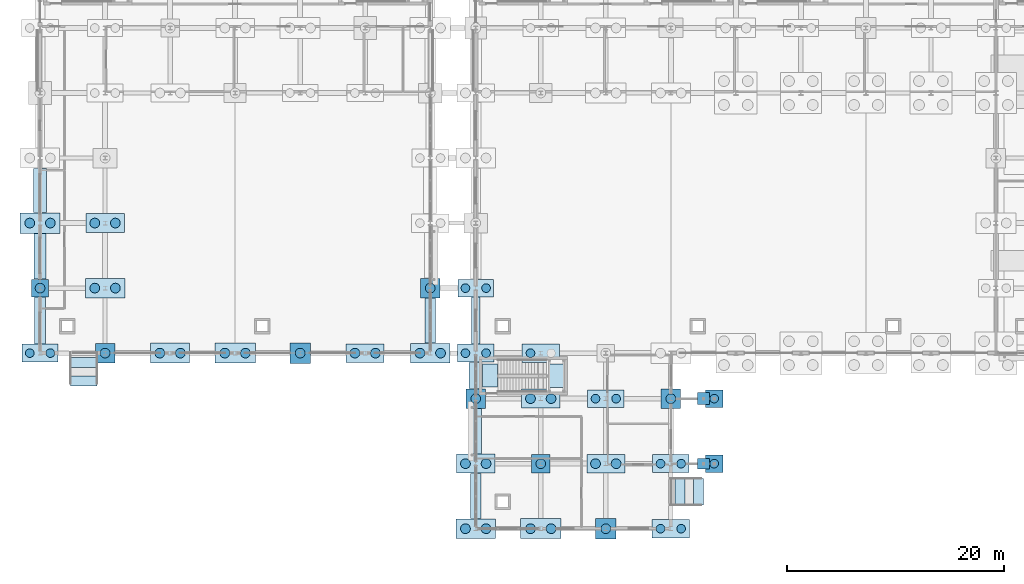
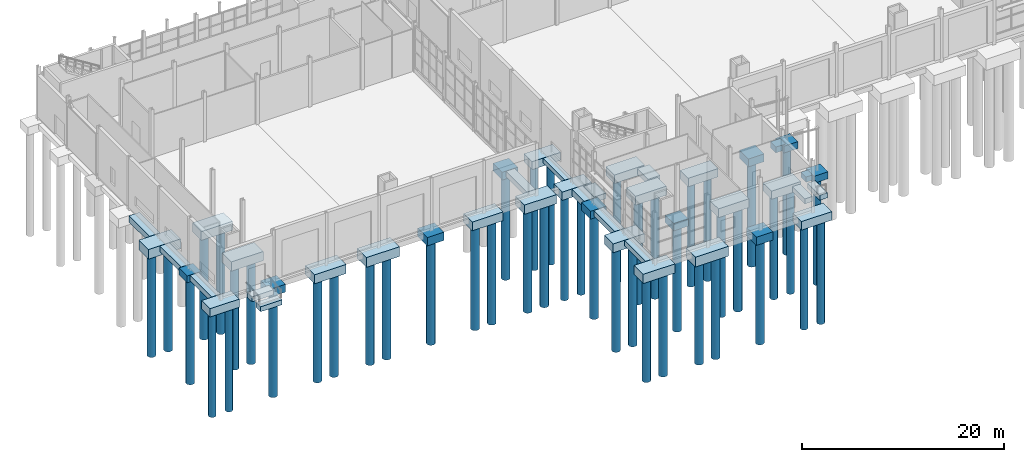
# One storey, part 1 of 120: 47 piles, 45 footings.
"""IFC4 building model written with IfcOpenShell, lengths in metres."""

from ifc_helpers import new_model, si_unit, direction, frame, origin, origin_2d, place, context, subcontext, project, spatial, rectangle, circle, extrude, material, material_profile, profile_set, type_object, element, save


model = new_model("IFC4")

# Units and contexts
model_context = context("Model", 3, precision=1e-05, world=origin(), true_north=direction((0.0, 1.0)))
body_context = subcontext(model_context, "Body", "Model", "MODEL_VIEW")
ifc_project = project(units=[si_unit("LENGTHUNIT", "METRE"), si_unit("AREAUNIT", "SQUARE_METRE"), si_unit("VOLUMEUNIT", "CUBIC_METRE"), si_unit("PLANEANGLEUNIT", "RADIAN"), si_unit("MASSUNIT", "GRAM", prefix="KILO")], contexts=[model_context])

# Site, building, storey
site_placement = place(None, origin())
site = spatial("IfcSite", under=ifc_project, at=site_placement, CompositionType="ELEMENT")
building_placement = place(site_placement, origin())
building = spatial("IfcBuilding", under=site, at=building_placement, Name="Siltcreek Boulevard Central Fire Station", CompositionType="ELEMENT")
storey_placement = place(building_placement, origin())
storey = spatial("IfcBuildingStorey", under=building, at=storey_placement, Name="L01", CompositionType="ELEMENT", Elevation=0.0)

# Footings
ifc_material = material(Name="Concrete C35/45", Category="concrete")
footing_type_1 = type_object("IfcFootingType", Name="PC_160X160X084", PredefinedType="PILE_CAP", material=ifc_material)
for number, where, z_axis, x_axis, name in (
    (1, (1.800048828125, 24.0, -1.25), (0.0, 0.0, 1.0), (1.0, 0.0, 0.0), "Reinforced concrete pile cap PC-093"),
    (2, (64.0, 7.800048828125, -1.18994140625), (0.0, 0.0, 1.0), (1.0, 0.0, 0.0), "Canopy pile cap PC-C01"),
    (3, (64.0, 13.800048828125, -1.18994140625), (0.0, 0.0, 1.0), (1.0, 0.0, 0.0), "Canopy pile cap PC-C02"),
):
    element("IfcFooting", number, at=place(storey_placement, frame(where, z_axis=z_axis, x_axis=x_axis)), inside=storey, type_object=footing_type_1, Name=name, PredefinedType="PILE_CAP", context=body_context, shape_type="SweptSolid", body=[
        extrude(rectangle(XDim=1.60009765625, YDim=1.60009765625, at=origin_2d()), origin(), (0.0, 0.0, 1.0), 0.840087890625),
    ])
footing_type_2 = type_object("IfcFootingType", Name="PC_170X170X088", PredefinedType="PILE_CAP", material=ifc_material)
footing_1_placement = place(storey_placement, frame((48.0, 7.800048828125, -1.2900390625), z_axis=(0.0, 0.0, 1.0), x_axis=(1.0, 0.0, 0.0)))
element("IfcFooting", 4, at=footing_1_placement, inside=storey, type_object=footing_type_2, Name="Reinforced concrete pile cap PC-012", PredefinedType="PILE_CAP", context=body_context, shape_type="SweptSolid", body=[
    extrude(rectangle(XDim=1.699951171875, YDim=1.699951171875, at=origin_2d()), origin(), (0.0, 0.0, 1.0), 0.8798828125),
])
footing_type_3 = type_object("IfcFootingType", Name="PC_180X180X094", PredefinedType="PILE_CAP", material=ifc_material)
for number, where, z_axis, x_axis, name in (
    (5, (42.0, 13.800048828125, -1.349853515625), (0.0, 0.0, 1.0), (1.0, 0.0, 0.0), "Reinforced concrete pile cap PC-003"),
    (6, (60.0, 13.800048828125, -1.349853515625), (0.0, 0.0, 1.0), (1.0, 0.0, 0.0), "Reinforced concrete pile cap PC-027"),
    (7, (7.800048828125, 18.0, -1.349853515625), (0.0, 0.0, 1.0), (1.0, 0.0, 0.0), "Reinforced concrete pile cap PC-099"),
    (8, (37.800048828125, 24.0, -1.349853515625), (0.0, 0.0, 1.0), (1.0, 0.0, 0.0), "Reinforced concrete pile cap PC-123"),
):
    element("IfcFooting", number, at=place(storey_placement, frame(where, z_axis=z_axis, x_axis=x_axis)), inside=storey, type_object=footing_type_3, Name=name, PredefinedType="PILE_CAP", context=body_context, shape_type="SweptSolid", body=[
        extrude(rectangle(XDim=1.800048828125, YDim=1.800048828125, at=origin_2d()), origin(), (0.0, 0.0, 1.0), 0.93994140625),
    ])
footing_type_4 = type_object("IfcFootingType", Name="PC_190X190X100", PredefinedType="PILE_CAP", material=ifc_material)
for number, where, z_axis, x_axis, name in (
    (9, (54.0, 1.800048828125, -1.409912109375), (0.0, 0.0, 1.0), (1.0, 0.0, 0.0), "Reinforced concrete pile cap PC-018"),
    (10, (25.800048828125, 18.0, -1.409912109375), (0.0, 0.0, 1.0), (1.0, 0.0, 0.0), "Reinforced concrete pile cap PC-114"),
):
    element("IfcFooting", number, at=place(storey_placement, frame(where, z_axis=z_axis, x_axis=x_axis)), inside=storey, type_object=footing_type_4, Name=name, PredefinedType="PILE_CAP", context=body_context, shape_type="SweptSolid", body=[
        extrude(rectangle(XDim=1.89990234375, YDim=1.89990234375, at=origin_2d()), origin(), (0.0, 0.0, 1.0), 1.0),
    ])
footing_type_5 = type_object("IfcFootingType", Name="PC_325X160X096", PredefinedType="PILE_CAP", material=ifc_material)
footing_2_placement = place(storey_placement, frame((42.0, 24.0, -1.369873046875), z_axis=(0.0, 0.0, 1.0), x_axis=(1.0, 0.0, 0.0)))
element("IfcFooting", 11, at=footing_2_placement, inside=storey, type_object=footing_type_5, Name="Reinforced concrete pile cap PC-005", PredefinedType="PILE_CAP", context=body_context, shape_type="SweptSolid", body=[
    extrude(rectangle(XDim=3.25, YDim=1.60009765625, at=origin_2d()), origin(), (0.0, 0.0, 1.0), 0.9599609375),
])
footing_type_6 = type_object("IfcFootingType", Name="PC_335X165X100", PredefinedType="PILE_CAP", material=ifc_material)
for number, where, z_axis, x_axis, name in (
    (12, (42.0, 18.0, -1.409912109375), (0.0, 0.0, 1.0), (1.0, 0.0, 0.0), "Reinforced concrete pile cap PC-004"),
    (13, (60.0, 7.800048828125, -1.409912109375), (0.0, 0.0, 1.0), (1.0, 0.0, 0.0), "Reinforced concrete pile cap PC-026"),
    (14, (1.800048828125, 18.0, -1.409912109375), (0.0, 0.0, 1.0), (1.0, 0.0, 0.0), "Reinforced concrete pile cap PC-092"),
):
    element("IfcFooting", number, at=place(storey_placement, frame(where, z_axis=z_axis, x_axis=x_axis)), inside=storey, type_object=footing_type_6, Name=name, PredefinedType="PILE_CAP", context=body_context, shape_type="SweptSolid", body=[
        extrude(rectangle(XDim=3.35009765625, YDim=1.64990234375, at=origin_2d()), origin(), (0.0, 0.0, 1.0), 1.0),
    ])
footing_type_7 = type_object("IfcFootingType", Name="PC_340X160X102", PredefinedType="PILE_CAP", material=ifc_material)
footing_3_placement = place(storey_placement, frame((54.0, 13.800048828125, -1.429931640625), z_axis=(0.0, 0.0, 1.0), x_axis=(1.0, 0.0, 0.0)))
element("IfcFooting", 15, at=footing_3_placement, inside=storey, type_object=footing_type_7, Name="Reinforced concrete pile cap PC-020", PredefinedType="PILE_CAP", context=body_context, shape_type="SweptSolid", body=[
    extrude(rectangle(XDim=3.39990234375, YDim=1.60009765625, at=origin_2d()), origin(), (0.0, 0.0, 1.0), 1.02001953125),
])
footing_type_8 = type_object("IfcFootingType", Name="PC_345X170X104", PredefinedType="PILE_CAP", material=ifc_material)
for number, where, z_axis, x_axis, name in (
    (16, (48.0, 18.0, -1.449951171875), (0.0, 0.0, 1.0), (1.0, 0.0, 0.0), "Reinforced concrete pile cap PC-014"),
    (17, (60.0, 1.800048828125, -1.449951171875), (0.0, 0.0, 1.0), (1.0, 0.0, 0.0), "Reinforced concrete pile cap PC-025"),
):
    element("IfcFooting", number, at=place(storey_placement, frame(where, z_axis=z_axis, x_axis=x_axis)), inside=storey, type_object=footing_type_8, Name=name, PredefinedType="PILE_CAP", context=body_context, shape_type="SweptSolid", body=[
        extrude(rectangle(XDim=3.449951171875, YDim=1.699951171875, at=origin_2d()), origin(), (0.0, 0.0, 1.0), 1.0400390625),
    ])
footing_type_9 = type_object("IfcFootingType", Name="PC_350X170X106", PredefinedType="PILE_CAP", material=ifc_material)
for number, where, z_axis, x_axis, name in (
    (18, (54.0, 7.800048828125, -1.469970703125), (0.0, 0.0, 1.0), (1.0, 0.0, 0.0), "Reinforced concrete pile cap PC-019"),
    (19, (31.800048828125, 18.0, -1.469970703125), (0.0, 0.0, 1.0), (1.0, 0.0, 0.0), "Reinforced concrete pile cap PC-118"),
):
    element("IfcFooting", number, at=place(storey_placement, frame(where, z_axis=z_axis, x_axis=x_axis)), inside=storey, type_object=footing_type_9, Name=name, PredefinedType="PILE_CAP", context=body_context, shape_type="SweptSolid", body=[
        extrude(rectangle(XDim=3.5, YDim=1.699951171875, at=origin_2d()), origin(), (0.0, 0.0, 1.0), 1.06005859375),
    ])
footing_type_10 = type_object("IfcFootingType", Name="PC_355X175X108", PredefinedType="PILE_CAP", material=ifc_material)
for number, where, z_axis, x_axis, name in (
    (20, (42.0, 7.800048828125, -1.489990234375), (0.0, 0.0, 1.0), (1.0, 0.0, 0.0), "Reinforced concrete pile cap PC-002"),
    (21, (48.0, 13.800048828125, -1.489990234375), (0.0, 0.0, 1.0), (1.0, 0.0, 0.0), "Reinforced concrete pile cap PC-013"),
    (22, (7.800048828125, 30.0, -1.489990234375), (0.0, 0.0, 1.0), (1.0, 0.0, 0.0), "Reinforced concrete pile cap PC-101"),
):
    element("IfcFooting", number, at=place(storey_placement, frame(where, z_axis=z_axis, x_axis=x_axis)), inside=storey, type_object=footing_type_10, Name=name, PredefinedType="PILE_CAP", context=body_context, shape_type="SweptSolid", body=[
        extrude(rectangle(XDim=3.550048828125, YDim=1.75, at=origin_2d()), origin(), (0.0, 0.0, 1.0), 1.080078125),
    ])
footing_type_11 = type_object("IfcFootingType", Name="PC_360X185X110", PredefinedType="PILE_CAP", material=ifc_material)
footing_4_placement = place(storey_placement, frame((13.800048828125, 18.0, -1.510009765625), z_axis=(0.0, 0.0, 1.0), x_axis=(1.0, 0.0, 0.0)))
element("IfcFooting", 23, at=footing_4_placement, inside=storey, type_object=footing_type_11, Name="Reinforced concrete pile cap PC-106", PredefinedType="PILE_CAP", context=body_context, shape_type="SweptSolid", body=[
    extrude(rectangle(XDim=3.60009765625, YDim=1.85009765625, at=origin_2d()), origin(), (0.0, 0.0, 1.0), 1.10009765625),
])
footing_type_12 = type_object("IfcFootingType", Name="PC_365X180X112", PredefinedType="PILE_CAP", material=ifc_material)
for number, where, z_axis, x_axis, name in (
    (24, (42.0, 1.800048828125, -1.530029296875), (0.0, 0.0, 1.0), (1.0, 0.0, 0.0), "Reinforced concrete pile cap PC-001"),
    (25, (7.800048828125, 24.0, -1.530029296875), (0.0, 0.0, 1.0), (1.0, 0.0, 0.0), "Reinforced concrete pile cap PC-100"),
    (26, (37.800048828125, 18.0, -1.530029296875), (0.0, 0.0, 1.0), (1.0, 0.0, 0.0), "Reinforced concrete pile cap PC-122"),
):
    element("IfcFooting", number, at=place(storey_placement, frame(where, z_axis=z_axis, x_axis=x_axis)), inside=storey, type_object=footing_type_12, Name=name, PredefinedType="PILE_CAP", context=body_context, shape_type="SweptSolid", body=[
        extrude(rectangle(XDim=3.64990234375, YDim=1.800048828125, at=origin_2d()), origin(), (0.0, 0.0, 1.0), 1.1201171875),
    ])
footing_type_13 = type_object("IfcFootingType", Name="PC_370X190X116", PredefinedType="PILE_CAP", material=ifc_material)
footing_5_placement = place(storey_placement, frame((1.800048828125, 30.0, -1.56982421875), z_axis=(0.0, 0.0, 1.0), x_axis=(1.0, 0.0, 0.0)))
element("IfcFooting", 27, at=footing_5_placement, inside=storey, type_object=footing_type_13, Name="Reinforced concrete pile cap PC-094", PredefinedType="PILE_CAP", context=body_context, shape_type="SweptSolid", body=[
    extrude(rectangle(XDim=3.699951171875, YDim=1.89990234375, at=origin_2d()), origin(), (0.0, 0.0, 1.0), 1.159912109375),
])
footing_type_14 = type_object("IfcFootingType", Name="PC_375X185X118", PredefinedType="PILE_CAP", material=ifc_material)
for number, where, z_axis, x_axis, name in (
    (28, (48.0, 1.800048828125, -1.58984375), (0.0, 0.0, 1.0), (1.0, 0.0, 0.0), "Reinforced concrete pile cap PC-011"),
    (29, (19.800048828125, 18.0, -1.58984375), (0.0, 0.0, 1.0), (1.0, 0.0, 0.0), "Reinforced concrete pile cap PC-110"),
):
    element("IfcFooting", number, at=place(storey_placement, frame(where, z_axis=z_axis, x_axis=x_axis)), inside=storey, type_object=footing_type_14, Name=name, PredefinedType="PILE_CAP", context=body_context, shape_type="SweptSolid", body=[
        extrude(rectangle(XDim=3.75, YDim=1.85009765625, at=origin_2d()), origin(), (0.0, 0.0, 1.0), 1.179931640625),
    ])

# Piles
ifc_material_profile_1 = material_profile(ifc_material, circle(Radius=0.39990234375, at=origin_2d()), Name="SHAFT800")
ifc_profile_set_1 = profile_set([ifc_material_profile_1], Name="Concrete C35/45")
pile_type_1 = type_object("IfcPileType", Name="PILE_D800", PredefinedType="BORED", material=ifc_profile_set_1)
for number, where, z_axis, x_axis, name in (
    (30, (41.050048828125, 18.0, -1.31005859375), (0.0, 0.0, -1.0), (1.0, 0.0, 0.0), "Bored concrete pile 006 in Vashon till"),
    (31, (42.949951171875, 18.0, -1.31005859375), (0.0, 0.0, -1.0), (1.0, 0.0, 0.0), "Bored concrete pile 007 in Vashon till"),
):
    element("IfcPile", number, at=place(storey_placement, frame(where, z_axis=z_axis, x_axis=x_axis)), inside=storey, type_object=pile_type_1, Name=name, PredefinedType="BORED", context=body_context, shape_type="SweptSolid", body=[
        extrude(circle(Radius=0.39990234375, at=origin_2d()), origin(), (0.0, 0.0, 1.0), 12.68994140625),
    ])
for number, where, z_axis, x_axis, name in (
    (32, (41.050048828125, 24.0, -1.27001953125), (0.0, 0.0, -1.0), (1.0, 0.0, 0.0), "Bored concrete pile 008 in Vashon till"),
    (33, (42.949951171875, 24.0, -1.27001953125), (0.0, 0.0, -1.0), (1.0, 0.0, 0.0), "Bored concrete pile 009 in Vashon till"),
):
    element("IfcPile", number, at=place(storey_placement, frame(where, z_axis=z_axis, x_axis=x_axis)), inside=storey, type_object=pile_type_1, Name=name, PredefinedType="BORED", context=body_context, shape_type="SweptSolid", body=[
        extrude(circle(Radius=0.39990234375, at=origin_2d()), origin(), (0.0, 0.0, 1.0), 12.72998046875),
    ])
pile_1_placement = place(storey_placement, frame((47.050048828125, 18.0, -1.35009765625), z_axis=(0.0, 0.0, -1.0), x_axis=(1.0, 0.0, 0.0)))
element("IfcPile", 34, at=pile_1_placement, inside=storey, type_object=pile_type_1, Name="Bored concrete pile 023 in Vashon till", PredefinedType="BORED", context=body_context, shape_type="SweptSolid", body=[
    extrude(circle(Radius=0.39990234375, at=origin_2d()), origin(), (0.0, 0.0, 1.0), 12.64990234375),
])
for number, where, z_axis, x_axis, name in (
    (35, (53.050048828125, 13.800048828125, -1.330078125), (0.0, 0.0, -1.0), (1.0, 0.0, 0.0), "Bored concrete pile 033 in Vashon till"),
    (36, (54.949951171875, 13.800048828125, -1.330078125), (0.0, 0.0, -1.0), (1.0, 0.0, 0.0), "Bored concrete pile 034 in Vashon till"),
):
    element("IfcPile", number, at=place(storey_placement, frame(where, z_axis=z_axis, x_axis=x_axis)), inside=storey, type_object=pile_type_1, Name=name, PredefinedType="BORED", context=body_context, shape_type="SweptSolid", body=[
        extrude(circle(Radius=0.39990234375, at=origin_2d()), origin(), (0.0, 0.0, 1.0), 12.669921875),
    ])
for number, where, z_axis, x_axis, name in (
    (37, (59.050048828125, 1.800048828125, -1.35009765625), (0.0, 0.0, -1.0), (1.0, 0.0, 0.0), "Bored concrete pile 041 in Vashon till"),
    (38, (60.949951171875, 1.800048828125, -1.35009765625), (0.0, 0.0, -1.0), (1.0, 0.0, 0.0), "Bored concrete pile 042 in Vashon till"),
):
    element("IfcPile", number, at=place(storey_placement, frame(where, z_axis=z_axis, x_axis=x_axis)), inside=storey, type_object=pile_type_1, Name=name, PredefinedType="BORED", context=body_context, shape_type="SweptSolid", body=[
        extrude(circle(Radius=0.39990234375, at=origin_2d()), origin(), (0.0, 0.0, 1.0), 12.64990234375),
    ])
for number, where, z_axis, x_axis, name in (
    (39, (59.050048828125, 7.800048828125, -1.31005859375), (0.0, 0.0, -1.0), (1.0, 0.0, 0.0), "Bored concrete pile 043 in Vashon till"),
    (40, (60.949951171875, 7.800048828125, -1.31005859375), (0.0, 0.0, -1.0), (1.0, 0.0, 0.0), "Bored concrete pile 044 in Vashon till"),
    (41, (0.85009765625, 18.0, -1.31005859375), (0.0, 0.0, -1.0), (1.0, 0.0, 0.0), "Bored concrete pile 182 in Vashon till"),
    (42, (2.75, 18.0, -1.31005859375), (0.0, 0.0, -1.0), (1.0, 0.0, 0.0), "Bored concrete pile 183 in Vashon till"),
):
    element("IfcPile", number, at=place(storey_placement, frame(where, z_axis=z_axis, x_axis=x_axis)), inside=storey, type_object=pile_type_1, Name=name, PredefinedType="BORED", context=body_context, shape_type="SweptSolid", body=[
        extrude(circle(Radius=0.39990234375, at=origin_2d()), origin(), (0.0, 0.0, 1.0), 12.68994140625),
    ])
for number, where, z_axis, x_axis, name in (
    (43, (64.0, 7.800048828125, -1.090087890625), (0.0, 0.0, -1.0), (1.0, 0.0, 0.0), "Bored concrete pile BP-C01 in Vashon till"),
    (44, (64.0, 13.800048828125, -1.090087890625), (0.0, 0.0, -1.0), (1.0, 0.0, 0.0), "Bored concrete pile BP-C02 in Vashon till"),
):
    element("IfcPile", number, at=place(storey_placement, frame(where, z_axis=z_axis, x_axis=x_axis)), inside=storey, type_object=pile_type_1, Name=name, PredefinedType="BORED", context=body_context, shape_type="SweptSolid", body=[
        extrude(circle(Radius=0.39990234375, at=origin_2d()), origin(), (0.0, 0.0, 1.0), 12.909912109375),
    ])
ifc_material_profile_2 = material_profile(ifc_material, circle(Radius=0.449951171875, at=origin_2d()), Name="SHAFT900")
ifc_profile_set_2 = profile_set([ifc_material_profile_2], Name="Concrete C35/45")
pile_type_2 = type_object("IfcPileType", Name="PILE_D900", PredefinedType="BORED", material=ifc_profile_set_2)
for number, where, z_axis, x_axis, name in (
    (45, (41.050048828125, 1.800048828125, -1.429931640625), (0.0, 0.0, -1.0), (1.0, 0.0, 0.0), "Bored concrete pile 001 in Vashon till"),
    (46, (42.949951171875, 1.800048828125, -1.429931640625), (0.0, 0.0, -1.0), (1.0, 0.0, 0.0), "Bored concrete pile 002 in Vashon till"),
):
    element("IfcPile", number, at=place(storey_placement, frame(where, z_axis=z_axis, x_axis=x_axis)), inside=storey, type_object=pile_type_2, Name=name, PredefinedType="BORED", context=body_context, shape_type="SweptSolid", body=[
        extrude(circle(Radius=0.449951171875, at=origin_2d()), origin(), (0.0, 0.0, 1.0), 12.570068359375),
    ])
for number, where, z_axis, x_axis, name in (
    (47, (41.050048828125, 7.800048828125, -1.389892578125), (0.0, 0.0, -1.0), (1.0, 0.0, 0.0), "Bored concrete pile 003 in Vashon till"),
    (48, (42.949951171875, 7.800048828125, -1.389892578125), (0.0, 0.0, -1.0), (1.0, 0.0, 0.0), "Bored concrete pile 004 in Vashon till"),
):
    element("IfcPile", number, at=place(storey_placement, frame(where, z_axis=z_axis, x_axis=x_axis)), inside=storey, type_object=pile_type_2, Name=name, PredefinedType="BORED", context=body_context, shape_type="SweptSolid", body=[
        extrude(circle(Radius=0.449951171875, at=origin_2d()), origin(), (0.0, 0.0, 1.0), 12.610107421875),
    ])
pile_2_placement = place(storey_placement, frame((42.0, 13.800048828125, -1.25), z_axis=(0.0, 0.0, -1.0), x_axis=(1.0, 0.0, 0.0)))
element("IfcPile", 49, at=pile_2_placement, inside=storey, type_object=pile_type_2, Name="Bored concrete pile 005 in Vashon till", PredefinedType="BORED", context=body_context, shape_type="SweptSolid", body=[
    extrude(circle(Radius=0.449951171875, at=origin_2d()), origin(), (0.0, 0.0, 1.0), 12.75),
])
for number, where, z_axis, x_axis, name in (
    (50, (47.050048828125, 1.800048828125, -1.489990234375), (0.0, 0.0, -1.0), (1.0, 0.0, 0.0), "Bored concrete pile 018 in Vashon till"),
    (51, (48.949951171875, 1.800048828125, -1.489990234375), (0.0, 0.0, -1.0), (1.0, 0.0, 0.0), "Bored concrete pile 019 in Vashon till"),
):
    element("IfcPile", number, at=place(storey_placement, frame(where, z_axis=z_axis, x_axis=x_axis)), inside=storey, type_object=pile_type_2, Name=name, PredefinedType="BORED", context=body_context, shape_type="SweptSolid", body=[
        extrude(circle(Radius=0.449951171875, at=origin_2d()), origin(), (0.0, 0.0, 1.0), 12.510009765625),
    ])
pile_3_placement = place(storey_placement, frame((48.0, 7.800048828125, -1.18994140625), z_axis=(0.0, 0.0, -1.0), x_axis=(1.0, 0.0, 0.0)))
element("IfcPile", 52, at=pile_3_placement, inside=storey, type_object=pile_type_2, Name="Bored concrete pile 020 in Vashon till", PredefinedType="BORED", context=body_context, shape_type="SweptSolid", body=[
    extrude(circle(Radius=0.449951171875, at=origin_2d()), origin(), (0.0, 0.0, 1.0), 12.81005859375),
])
for number, where, z_axis, x_axis, name in (
    (53, (47.050048828125, 13.800048828125, -1.389892578125), (0.0, 0.0, -1.0), (1.0, 0.0, 0.0), "Bored concrete pile 021 in Vashon till"),
    (54, (48.949951171875, 13.800048828125, -1.389892578125), (0.0, 0.0, -1.0), (1.0, 0.0, 0.0), "Bored concrete pile 022 in Vashon till"),
):
    element("IfcPile", number, at=place(storey_placement, frame(where, z_axis=z_axis, x_axis=x_axis)), inside=storey, type_object=pile_type_2, Name=name, PredefinedType="BORED", context=body_context, shape_type="SweptSolid", body=[
        extrude(circle(Radius=0.449951171875, at=origin_2d()), origin(), (0.0, 0.0, 1.0), 12.610107421875),
    ])
pile_4_placement = place(storey_placement, frame((54.0, 1.800048828125, -1.31005859375), z_axis=(0.0, 0.0, -1.0), x_axis=(1.0, 0.0, 0.0)))
element("IfcPile", 55, at=pile_4_placement, inside=storey, type_object=pile_type_2, Name="Bored concrete pile 030 in Vashon till", PredefinedType="BORED", context=body_context, shape_type="SweptSolid", body=[
    extrude(circle(Radius=0.449951171875, at=origin_2d()), origin(), (0.0, 0.0, 1.0), 12.68994140625),
])
for number, where, z_axis, x_axis, name in (
    (56, (53.050048828125, 7.800048828125, -1.3701171875), (0.0, 0.0, -1.0), (1.0, 0.0, 0.0), "Bored concrete pile 031 in Vashon till"),
    (57, (54.949951171875, 7.800048828125, -1.3701171875), (0.0, 0.0, -1.0), (1.0, 0.0, 0.0), "Bored concrete pile 032 in Vashon till"),
):
    element("IfcPile", number, at=place(storey_placement, frame(where, z_axis=z_axis, x_axis=x_axis)), inside=storey, type_object=pile_type_2, Name=name, PredefinedType="BORED", context=body_context, shape_type="SweptSolid", body=[
        extrude(circle(Radius=0.449951171875, at=origin_2d()), origin(), (0.0, 0.0, 1.0), 12.6298828125),
    ])
pile_5_placement = place(storey_placement, frame((60.0, 13.800048828125, -1.25), z_axis=(0.0, 0.0, -1.0), x_axis=(1.0, 0.0, 0.0)))
element("IfcPile", 58, at=pile_5_placement, inside=storey, type_object=pile_type_2, Name="Bored concrete pile 045 in Vashon till", PredefinedType="BORED", context=body_context, shape_type="SweptSolid", body=[
    extrude(circle(Radius=0.449951171875, at=origin_2d()), origin(), (0.0, 0.0, 1.0), 12.75),
])
pile_6_placement = place(storey_placement, frame((1.800048828125, 24.0, -1.14990234375), z_axis=(0.0, 0.0, -1.0), x_axis=(1.0, 0.0, 0.0)))
element("IfcPile", 59, at=pile_6_placement, inside=storey, type_object=pile_type_2, Name="Bored concrete pile 184 in Vashon till", PredefinedType="BORED", context=body_context, shape_type="SweptSolid", body=[
    extrude(circle(Radius=0.449951171875, at=origin_2d()), origin(), (0.0, 0.0, 1.0), 12.85009765625),
])
for number, where, z_axis, x_axis, name in (
    (60, (0.85009765625, 30.0, -1.469970703125), (0.0, 0.0, -1.0), (1.0, 0.0, 0.0), "Bored concrete pile 185 in Vashon till"),
    (61, (2.75, 30.0, -1.469970703125), (0.0, 0.0, -1.0), (1.0, 0.0, 0.0), "Bored concrete pile 186 in Vashon till"),
):
    element("IfcPile", number, at=place(storey_placement, frame(where, z_axis=z_axis, x_axis=x_axis)), inside=storey, type_object=pile_type_2, Name=name, PredefinedType="BORED", context=body_context, shape_type="SweptSolid", body=[
        extrude(circle(Radius=0.449951171875, at=origin_2d()), origin(), (0.0, 0.0, 1.0), 12.530029296875),
    ])
pile_7_placement = place(storey_placement, frame((7.800048828125, 18.0, -1.25), z_axis=(0.0, 0.0, -1.0), x_axis=(1.0, 0.0, 0.0)))
element("IfcPile", 62, at=pile_7_placement, inside=storey, type_object=pile_type_2, Name="Bored concrete pile 194 in Vashon till", PredefinedType="BORED", context=body_context, shape_type="SweptSolid", body=[
    extrude(circle(Radius=0.449951171875, at=origin_2d()), origin(), (0.0, 0.0, 1.0), 12.75),
])
for number, where, z_axis, x_axis, name in (
    (63, (6.85009765625, 24.0, -1.429931640625), (0.0, 0.0, -1.0), (1.0, 0.0, 0.0), "Bored concrete pile 195 in Vashon till"),
    (64, (8.75, 24.0, -1.429931640625), (0.0, 0.0, -1.0), (1.0, 0.0, 0.0), "Bored concrete pile 196 in Vashon till"),
):
    element("IfcPile", number, at=place(storey_placement, frame(where, z_axis=z_axis, x_axis=x_axis)), inside=storey, type_object=pile_type_2, Name=name, PredefinedType="BORED", context=body_context, shape_type="SweptSolid", body=[
        extrude(circle(Radius=0.449951171875, at=origin_2d()), origin(), (0.0, 0.0, 1.0), 12.570068359375),
    ])
for number, where, z_axis, x_axis, name in (
    (65, (6.85009765625, 30.0, -1.389892578125), (0.0, 0.0, -1.0), (1.0, 0.0, 0.0), "Bored concrete pile 197 in Vashon till"),
    (66, (8.75, 30.0, -1.389892578125), (0.0, 0.0, -1.0), (1.0, 0.0, 0.0), "Bored concrete pile 198 in Vashon till"),
):
    element("IfcPile", number, at=place(storey_placement, frame(where, z_axis=z_axis, x_axis=x_axis)), inside=storey, type_object=pile_type_2, Name=name, PredefinedType="BORED", context=body_context, shape_type="SweptSolid", body=[
        extrude(circle(Radius=0.449951171875, at=origin_2d()), origin(), (0.0, 0.0, 1.0), 12.610107421875),
    ])
for number, where, z_axis, x_axis, name in (
    (67, (12.85009765625, 18.0, -1.409912109375), (0.0, 0.0, -1.0), (1.0, 0.0, 0.0), "Bored concrete pile 205 in Vashon till"),
    (68, (14.75, 18.0, -1.409912109375), (0.0, 0.0, -1.0), (1.0, 0.0, 0.0), "Bored concrete pile 206 in Vashon till"),
):
    element("IfcPile", number, at=place(storey_placement, frame(where, z_axis=z_axis, x_axis=x_axis)), inside=storey, type_object=pile_type_2, Name=name, PredefinedType="BORED", context=body_context, shape_type="SweptSolid", body=[
        extrude(circle(Radius=0.449951171875, at=origin_2d()), origin(), (0.0, 0.0, 1.0), 12.590087890625),
    ])
for number, where, z_axis, x_axis, name in (
    (69, (18.85009765625, 18.0, -1.489990234375), (0.0, 0.0, -1.0), (1.0, 0.0, 0.0), "Bored concrete pile 212 in Vashon till"),
    (70, (20.75, 18.0, -1.489990234375), (0.0, 0.0, -1.0), (1.0, 0.0, 0.0), "Bored concrete pile 213 in Vashon till"),
):
    element("IfcPile", number, at=place(storey_placement, frame(where, z_axis=z_axis, x_axis=x_axis)), inside=storey, type_object=pile_type_2, Name=name, PredefinedType="BORED", context=body_context, shape_type="SweptSolid", body=[
        extrude(circle(Radius=0.449951171875, at=origin_2d()), origin(), (0.0, 0.0, 1.0), 12.510009765625),
    ])
pile_8_placement = place(storey_placement, frame((25.800048828125, 18.0, -1.31005859375), z_axis=(0.0, 0.0, -1.0), x_axis=(1.0, 0.0, 0.0)))
element("IfcPile", 71, at=pile_8_placement, inside=storey, type_object=pile_type_2, Name="Bored concrete pile 219 in Vashon till", PredefinedType="BORED", context=body_context, shape_type="SweptSolid", body=[
    extrude(circle(Radius=0.449951171875, at=origin_2d()), origin(), (0.0, 0.0, 1.0), 12.68994140625),
])
for number, where, z_axis, x_axis, name in (
    (72, (30.85009765625, 18.0, -1.3701171875), (0.0, 0.0, -1.0), (1.0, 0.0, 0.0), "Bored concrete pile 225 in Vashon till"),
    (73, (32.75, 18.0, -1.3701171875), (0.0, 0.0, -1.0), (1.0, 0.0, 0.0), "Bored concrete pile 226 in Vashon till"),
):
    element("IfcPile", number, at=place(storey_placement, frame(where, z_axis=z_axis, x_axis=x_axis)), inside=storey, type_object=pile_type_2, Name=name, PredefinedType="BORED", context=body_context, shape_type="SweptSolid", body=[
        extrude(circle(Radius=0.449951171875, at=origin_2d()), origin(), (0.0, 0.0, 1.0), 12.6298828125),
    ])
for number, where, z_axis, x_axis, name in (
    (74, (36.85009765625, 18.0, -1.429931640625), (0.0, 0.0, -1.0), (1.0, 0.0, 0.0), "Bored concrete pile 232 in Vashon till"),
    (75, (38.75, 18.0, -1.429931640625), (0.0, 0.0, -1.0), (1.0, 0.0, 0.0), "Bored concrete pile 233 in Vashon till"),
):
    element("IfcPile", number, at=place(storey_placement, frame(where, z_axis=z_axis, x_axis=x_axis)), inside=storey, type_object=pile_type_2, Name=name, PredefinedType="BORED", context=body_context, shape_type="SweptSolid", body=[
        extrude(circle(Radius=0.449951171875, at=origin_2d()), origin(), (0.0, 0.0, 1.0), 12.570068359375),
    ])
pile_9_placement = place(storey_placement, frame((37.800048828125, 24.0, -1.25), z_axis=(0.0, 0.0, -1.0), x_axis=(1.0, 0.0, 0.0)))
element("IfcPile", 76, at=pile_9_placement, inside=storey, type_object=pile_type_2, Name="Bored concrete pile 234 in Vashon till", PredefinedType="BORED", context=body_context, shape_type="SweptSolid", body=[
    extrude(circle(Radius=0.449951171875, at=origin_2d()), origin(), (0.0, 0.0, 1.0), 12.75),
])

# Footings
footing_type_15 = type_object("IfcFootingType", Name="SF_1000X650", PredefinedType="STRIP_FOOTING", material=ifc_material)
footing_6_placement = place(storey_placement, frame((63.0, 7.800048828125, -1.0), z_axis=(0.0, 0.0, 1.0), x_axis=(1.0, 0.0, 0.0)))
element("IfcFooting", 77, at=footing_6_placement, inside=storey, type_object=footing_type_15, Name="Perimeter strip footing SF-01", PredefinedType="STRIP_FOOTING", context=body_context, shape_type="SweptSolid", body=[
    extrude(rectangle(XDim=1.10009765625, YDim=1.0, at=origin_2d()), origin(), (0.0, 0.0, 1.0), 0.64990234375),
])
footing_7_placement = place(storey_placement, frame((1.800048828125, 21.012451171875, -1.06005859375), z_axis=(0.0, 0.0, 1.0), x_axis=(1.0, 0.0, 0.0)))
element("IfcFooting", 78, at=footing_7_placement, inside=storey, type_object=footing_type_15, Name="Perimeter strip footing SF-031", PredefinedType="STRIP_FOOTING", context=body_context, shape_type="SweptSolid", body=[
    extrude(rectangle(XDim=1.0, YDim=4.3349609375, at=origin_2d()), origin(), (0.0, 0.0, 1.0), 0.64990234375),
])
footing_8_placement = place(storey_placement, frame((37.800048828125, 21.0, -1.06005859375), z_axis=(0.0, 0.0, 1.0), x_axis=(1.0, 0.0, 0.0)))
element("IfcFooting", 79, at=footing_8_placement, inside=storey, type_object=footing_type_15, Name="Perimeter strip footing SF-037", PredefinedType="STRIP_FOOTING", context=body_context, shape_type="SweptSolid", body=[
    extrude(rectangle(XDim=1.0, YDim=4.159912109375, at=origin_2d()), origin(), (0.0, 0.0, 1.0), 0.64990234375),
])
footing_9_placement = place(storey_placement, frame((42.0, 4.8125, -1.06005859375), z_axis=(0.0, 0.0, 1.0), x_axis=(1.0, 0.0, 0.0)))
element("IfcFooting", 80, at=footing_9_placement, inside=storey, type_object=footing_type_15, Name="Perimeter strip footing SF-043", PredefinedType="STRIP_FOOTING", context=body_context, shape_type="SweptSolid", body=[
    extrude(rectangle(XDim=1.0, YDim=4.18505859375, at=origin_2d()), origin(), (0.0, 0.0, 1.0), 0.64990234375),
])
for number, where, z_axis, x_axis, name in (
    (81, (43.320068359375, 15.9375, -1.06005859375), (0.0, 0.0, 1.0), (1.0, 0.0, 0.0), "Stair ST-V1P W foundation strip footing"),
    (82, (49.4599609375, 15.91259765625, -1.06005859375), (0.0, 0.0, 1.0), (1.0, 0.0, 0.0), "Stair ST-V1P E foundation strip footing"),
):
    element("IfcFooting", number, at=place(storey_placement, frame(where, z_axis=z_axis, x_axis=x_axis)), inside=storey, type_object=footing_type_15, Name=name, PredefinedType="STRIP_FOOTING", context=body_context, shape_type="SweptSolid", body=[
        extrude(rectangle(XDim=1.35009765625, YDim=2.155029296875, at=origin_2d()), origin(), (0.0, 0.0, 1.0), 0.64990234375),
    ])
footing_type_16 = type_object("IfcFootingType", Name="SF_1100X700", PredefinedType="STRIP_FOOTING", material=ifc_material)
footing_10_placement = place(storey_placement, frame((63.0, 13.800048828125, -1.0498046875), z_axis=(0.0, 0.0, 1.0), x_axis=(1.0, 0.0, 0.0)))
element("IfcFooting", 83, at=footing_10_placement, inside=storey, type_object=footing_type_16, Name="Perimeter strip footing SF-02", PredefinedType="STRIP_FOOTING", context=body_context, shape_type="SweptSolid", body=[
    extrude(rectangle(XDim=1.10009765625, YDim=1.10009765625, at=origin_2d()), origin(), (0.0, 0.0, 1.0), 0.699951171875),
])
footing_11_placement = place(storey_placement, frame((1.800048828125, 26.925048828125, -1.10986328125), z_axis=(0.0, 0.0, 1.0), x_axis=(1.0, 0.0, 0.0)))
element("IfcFooting", 84, at=footing_11_placement, inside=storey, type_object=footing_type_16, Name="Perimeter strip footing SF-032", PredefinedType="STRIP_FOOTING", context=body_context, shape_type="SweptSolid", body=[
    extrude(rectangle(XDim=1.10009765625, YDim=4.2099609375, at=origin_2d()), origin(), (0.0, 0.0, 1.0), 0.699951171875),
])
footing_12_placement = place(storey_placement, frame((42.0, 10.78759765625, -1.10986328125), z_axis=(0.0, 0.0, 1.0), x_axis=(1.0, 0.0, 0.0)))
element("IfcFooting", 85, at=footing_12_placement, inside=storey, type_object=footing_type_16, Name="Perimeter strip footing SF-044", PredefinedType="STRIP_FOOTING", context=body_context, shape_type="SweptSolid", body=[
    extrude(rectangle(XDim=1.10009765625, YDim=4.18505859375, at=origin_2d()), origin(), (0.0, 0.0, 1.0), 0.699951171875),
])
footing_type_17 = type_object("IfcFootingType", Name="SF_1200X750", PredefinedType="STRIP_FOOTING", material=ifc_material)
footing_13_placement = place(storey_placement, frame((1.800048828125, 33.012451171875, -1.159912109375), z_axis=(0.0, 0.0, 1.0), x_axis=(1.0, 0.0, 0.0)))
element("IfcFooting", 86, at=footing_13_placement, inside=storey, type_object=footing_type_17, Name="Perimeter strip footing SF-033", PredefinedType="STRIP_FOOTING", context=body_context, shape_type="SweptSolid", body=[
    extrude(rectangle(XDim=1.199951171875, YDim=4.0849609375, at=origin_2d()), origin(), (0.0, 0.0, 1.0), 0.75),
])
footing_14_placement = place(storey_placement, frame((42.0, 15.9375, -1.159912109375), z_axis=(0.0, 0.0, 1.0), x_axis=(1.0, 0.0, 0.0)))
element("IfcFooting", 87, at=footing_14_placement, inside=storey, type_object=footing_type_17, Name="Perimeter strip footing SF-045", PredefinedType="STRIP_FOOTING", context=body_context, shape_type="SweptSolid", body=[
    extrude(rectangle(XDim=1.199951171875, YDim=2.43505859375, at=origin_2d()), origin(), (0.0, 0.0, 1.0), 0.75),
])
footing_type_18 = type_object("IfcFootingType", Name="SF_800X550", PredefinedType="STRIP_FOOTING", material=ifc_material)
footing_15_placement = place(storey_placement, frame((42.0, 21.012451171875, -0.9599609375), z_axis=(0.0, 0.0, 1.0), x_axis=(1.0, 0.0, 0.0)))
element("IfcFooting", 88, at=footing_15_placement, inside=storey, type_object=footing_type_18, Name="Perimeter strip footing SF-046", PredefinedType="STRIP_FOOTING", context=body_context, shape_type="SweptSolid", body=[
    extrude(rectangle(XDim=0.800048828125, YDim=4.3349609375, at=origin_2d()), origin(), (0.0, 0.0, 1.0), 0.550048828125),
])
footing_type_19 = type_object("IfcFootingType", Name="SF_900X600", PredefinedType="STRIP_FOOTING", material=ifc_material)
for number, where, z_axis, x_axis, name in (
    (89, (62.550048828125, 5.199951171875, -1.02001953125), (0.0, 0.0, 1.0), (-1.0, 0.0, 0.0), "Accessible ramp RM-01 bot strip footing"),
    (90, (60.840087890625, 5.199951171875, -0.856689453125), (0.0, 0.0, 1.0), (-1.0, 0.0, 0.0), "Accessible ramp RM-01 top strip footing"),
    (91, (5.85009765625, 15.429931640625, -1.02001953125), (0.0, 0.0, 1.0), (0.0, 1.0, 0.0), "Accessible ramp RM-05 bot strip footing"),
    (92, (5.85009765625, 17.139892578125, -0.856689453125), (0.0, 0.0, 1.0), (0.0, 1.0, 0.0), "Accessible ramp RM-05 top strip footing"),
):
    element("IfcFooting", number, at=place(storey_placement, frame(where, z_axis=z_axis, x_axis=x_axis)), inside=storey, type_object=footing_type_19, Name=name, PredefinedType="STRIP_FOOTING", context=body_context, shape_type="SweptSolid", body=[
        extrude(rectangle(XDim=0.89990234375, YDim=2.449951171875, at=origin_2d()), origin(), (0.0, 0.0, 1.0), 0.60009765625),
    ])

save(model, "model.ifc")
